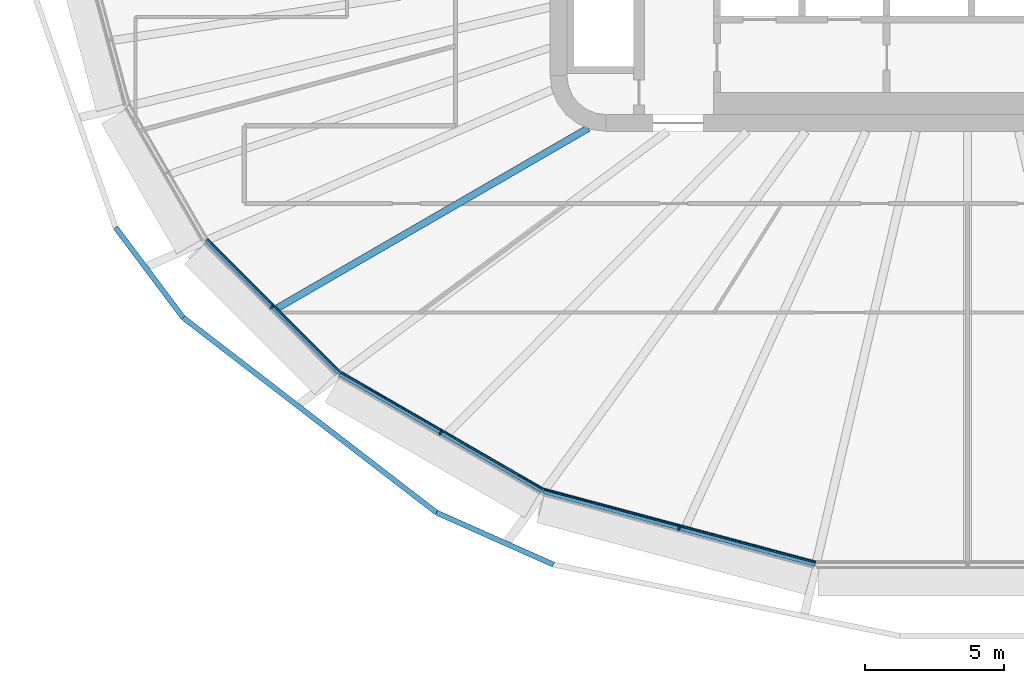
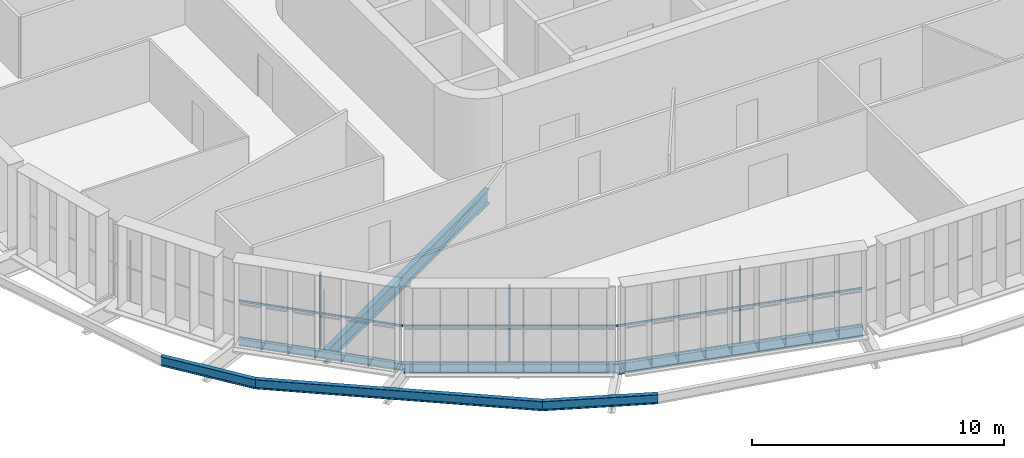
# One storey, part 1 of 25: 7 beams, 6 members, 3 elements without a shape of their own.
"""IFC4 building model written with IfcOpenShell, lengths in metres."""

from ifc_helpers import new_model, si_unit, direction, frame, origin, origin_2d, place, context, subcontext, project, spatial, rectangle, i_section, extrude, material, layer, layer_set, material_profile, profile_set, type_object, element, aggregate, save


model = new_model("IFC4")

# Units and contexts
model_context = context("Model", 3, precision=1e-05, world=origin(), true_north=direction((0.0, 1.0)))
body_context = subcontext(model_context, "Body", "Model", "MODEL_VIEW")
ifc_project = project(units=[si_unit("LENGTHUNIT", "METRE"), si_unit("AREAUNIT", "SQUARE_METRE"), si_unit("VOLUMEUNIT", "CUBIC_METRE"), si_unit("PLANEANGLEUNIT", "RADIAN"), si_unit("MASSUNIT", "GRAM", prefix="KILO")], contexts=[model_context])

# Site, building, storey
site_placement = place(None, origin())
site = spatial("IfcSite", under=ifc_project, at=site_placement, CompositionType="ELEMENT")
building_placement = place(site_placement, origin())
building = spatial("IfcBuilding", under=site, at=building_placement, Name="Sahrelin Media Tower", CompositionType="ELEMENT")
storey_placement = place(building_placement, frame((0.0, 0.0, 144.0)))
storey = spatial("IfcBuildingStorey", under=building, at=storey_placement, Name="L29", CompositionType="ELEMENT", Elevation=144.0)

# Beams
ifc_material_1 = material(Name="Steel S355", Category="steel")
ifc_material_profile_1 = material_profile(ifc_material_1, i_section(OverallWidth=0.17138671875, OverallDepth=0.35498046875, WebThickness=0.00732421875, FlangeThickness=0.011474609375, FilletRadius=0.01025390625, at=origin_2d()), Name="UB 356x171x51")
ifc_profile_set_1 = profile_set([ifc_material_profile_1], Name="Steel S355")
beam_type_1 = type_object("IfcBeamType", Name="Edge beam EB3", PredefinedType="BEAM", material=ifc_profile_set_1)
beam_1_placement = place(storey_placement, frame((-22.59033203125, -16.677978515625, -0.327392578125), z_axis=(-0.707106781187, 0.707106781187, 0.0), x_axis=(-0.707106781187, -0.707106781187, 0.0)))
element("IfcBeam", 1, at=beam_1_placement, inside=storey, type_object=beam_type_1, Name="Edge beam L29-10", PredefinedType="BEAM", context=body_context, shape_type="SweptSolid", body=[
    extrude(i_section(OverallWidth=0.17138671875, OverallDepth=0.35498046875, WebThickness=0.00732421875, FlangeThickness=0.011474609375, FilletRadius=0.01025390625, at=origin_2d()), origin(), (0.0, 0.0, 1.0), 6.751953125),
])
ifc_material_profile_2 = material_profile(ifc_material_1, i_section(OverallWidth=0.1904296875, OverallDepth=0.45703125, WebThickness=0.009033203125, FlangeThickness=0.014404296875, FilletRadius=0.01025390625, at=origin_2d()), Name="UB 457x191x74")
ifc_profile_set_2 = profile_set([ifc_material_profile_2], Name="Steel S355")
beam_type_2 = type_object("IfcBeamType", Name="Edge beam EB5", PredefinedType="BEAM", material=ifc_profile_set_2)
beam_2_placement = place(storey_placement, frame((-15.264404296875, -20.911865234375, -0.37841796875), z_axis=(-0.866028896434, 0.499993950504, 0.0), x_axis=(-0.499993950504, -0.866028896434, 0.0)))
element("IfcBeam", 2, at=beam_2_placement, inside=storey, type_object=beam_type_2, Name="Edge beam L29-09", PredefinedType="BEAM", context=body_context, shape_type="SweptSolid", body=[
    extrude(i_section(OverallWidth=0.1904296875, OverallDepth=0.45703125, WebThickness=0.009033203125, FlangeThickness=0.014404296875, FilletRadius=0.01025390625, at=origin_2d()), origin(), (0.0, 0.0, 1.0), 8.4326171875),
])
ifc_material_profile_3 = material_profile(ifc_material_1, i_section(OverallWidth=0.208740234375, OverallDepth=0.5283203125, WebThickness=0.009521484375, FlangeThickness=0.01318359375, FilletRadius=0.0126953125, at=origin_2d()), Name="UB 533x210x82")
ifc_profile_set_3 = profile_set([ifc_material_profile_3], Name="Steel S355")
beam_type_3 = type_object("IfcBeamType", Name="Edge beam EB6", PredefinedType="BEAM", material=ifc_profile_set_3)
beam_3_placement = place(storey_placement, frame((-5.46337890625, -23.5419921875, -0.414306640625), z_axis=(-0.96592349726, 0.258827737002, 0.0), x_axis=(-0.258827737002, -0.96592349726, 0.0)))
element("IfcBeam", 3, at=beam_3_placement, inside=storey, type_object=beam_type_3, Name="Edge beam L29-08", PredefinedType="BEAM", context=body_context, shape_type="SweptSolid", body=[
    extrude(i_section(OverallWidth=0.208740234375, OverallDepth=0.5283203125, WebThickness=0.009521484375, FlangeThickness=0.01318359375, FilletRadius=0.0126953125, at=origin_2d()), origin(), (0.0, 0.0, 1.0), 10.119140625),
])

# Curtain wall, member
ifc_material_2 = material(Name="Champagne anodised aluminium 6063-T6", Category="aluminium")
ifc_layer = layer(ifc_material_2, 0.14990234375)
ifc_layer_set = layer_set([ifc_layer], Name="Tower ribbon curtain wall")
curtain_wall_type = type_object("IfcCurtainWallType", Name="Tower ribbon curtain wall", PredefinedType="NOTDEFINED", material=ifc_layer_set)
curtain_wall_1_placement = place(storey_placement, frame((-25.08349609375, -14.39697265625, 0.0), z_axis=(0.0, 0.0, 1.0), x_axis=(1.0, 0.0, 0.0)))
curtain_wall_1 = element("IfcCurtainWall", 4, at=curtain_wall_1_placement, inside=storey, type_object=curtain_wall_type, Name="L29:CW:L29-15", PredefinedType="NOTDEFINED")
ifc_material_profile_4 = material_profile(ifc_material_2, rectangle(XDim=0.06005859375, YDim=0.14990234375, at=origin_2d()), Name="Mullion 60x150")
ifc_profile_set_4 = profile_set([ifc_material_profile_4], Name="Champagne anodised aluminium 6063-T6")
member_type_1 = type_object("IfcMemberType", Name="Mullion 60x150 CW1", PredefinedType="MULLION", material=ifc_profile_set_4)
member_1_placement = place(storey_placement, frame((-25.016357421875, -14.32958984375, 0.0), z_axis=(0.0, 0.0, 1.0), x_axis=(0.707106781187, -0.707106781187, 0.0)))
member_1 = element("IfcMember", 5, at=member_1_placement, type_object=member_type_1, Name="L29:CWM:L29-15", PredefinedType="MULLION", context=body_context, shape_type="SweptSolid", body=[
    extrude(rectangle(XDim=0.06005859375, YDim=0.14990234375, at=origin_2d()), origin(), (0.0, 0.0, 1.0), 3.648681640625),
])

curtain_wall_2_placement = place(storey_placement, frame((-18.990966796875, -18.93359375, 0.0), z_axis=(0.0, 0.0, 1.0), x_axis=(1.0, 0.0, 0.0)))
curtain_wall_2 = element("IfcCurtainWall", 6, at=curtain_wall_2_placement, inside=storey, type_object=curtain_wall_type, Name="L29:CW:L29-16", PredefinedType="NOTDEFINED")
member_2_placement = place(storey_placement, frame((-18.943603515625, -18.851318359375, 0.0), z_axis=(0.0, 0.0, 1.0), x_axis=(0.866027149108, -0.499996976998, 0.0)))
member_2 = element("IfcMember", 7, at=member_2_placement, type_object=member_type_1, Name="L29:CWM:L29-16", PredefinedType="MULLION", context=body_context, shape_type="SweptSolid", body=[
    extrude(rectangle(XDim=0.06005859375, YDim=0.14990234375, at=origin_2d()), origin(), (0.0, 0.0, 1.0), 3.648681640625),
])

curtain_wall_3_placement = place(storey_placement, frame((-10.389404296875, -22.377197265625, 0.0), z_axis=(0.0, 0.0, 1.0), x_axis=(1.0, 0.0, 0.0)))
curtain_wall_3 = element("IfcCurtainWall", 8, at=curtain_wall_3_placement, inside=storey, type_object=curtain_wall_type, Name="L29:CW:L29-17", PredefinedType="NOTDEFINED")
member_3_placement = place(storey_placement, frame((-10.364990234375, -22.285400390625, 0.0), z_axis=(0.0, 0.0, 1.0), x_axis=(0.965925826289, -0.258819045103, 0.0)))
member_3 = element("IfcMember", 9, at=member_3_placement, type_object=member_type_1, Name="L29:CWM:L29-17", PredefinedType="MULLION", context=body_context, shape_type="SweptSolid", body=[
    extrude(rectangle(XDim=0.06005859375, YDim=0.14990234375, at=origin_2d()), origin(), (0.0, 0.0, 1.0), 3.648681640625),
])

# Beams
ifc_material_profile_5 = material_profile(ifc_material_1, i_section(OverallWidth=0.2529296875, OverallDepth=0.677978515625, WebThickness=0.01171875, FlangeThickness=0.01611328125, FilletRadius=0.01513671875, at=origin_2d()), Name="UB 686x254x125")
ifc_profile_set_5 = profile_set([ifc_material_profile_5], Name="Steel S355")
beam_type_4 = type_object("IfcBeamType", Name="Radial secondary beam SB8", PredefinedType="BEAM", material=ifc_profile_set_5)
beam_4_placement = place(storey_placement, frame((-13.62939453125, -7.885498046875, -0.489013671875), z_axis=(-0.865569164292, -0.500789398676, 0.0), x_axis=(0.500789398676, -0.865569164292, 0.0)))
element("IfcBeam", 10, at=beam_4_placement, inside=storey, type_object=beam_type_4, Name="Secondary beam L29-15", PredefinedType="BEAM", context=body_context, shape_type="SweptSolid", body=[
    extrude(i_section(OverallWidth=0.2529296875, OverallDepth=0.677978515625, WebThickness=0.01171875, FlangeThickness=0.01611328125, FilletRadius=0.01513671875, at=origin_2d()), origin(), (0.0, 0.0, 1.0), 12.904541015625),
])
ifc_material_profile_6 = material_profile(ifc_material_1, i_section(OverallWidth=0.1904296875, OverallDepth=0.45703125, WebThickness=0.009033203125, FlangeThickness=0.014404296875, FilletRadius=0.01025390625, at=origin_2d()), Name="UB 457x191x74")
ifc_profile_set_6 = profile_set([ifc_material_profile_6], Name="Steel S355")
beam_type_5 = type_object("IfcBeamType", Name="Tie chord TC5", PredefinedType="BEAM", material=ifc_profile_set_6)
beam_5_placement = place(storey_placement, frame((-30.632568359375, -11.453125, -0.37841796875), z_axis=(0.600077169797, -0.799942116836, 0.0), x_axis=(0.799942116836, 0.600077169797, 0.0)))
element("IfcBeam", 11, at=beam_5_placement, inside=storey, type_object=beam_type_5, Name="Tie chord L29-14", PredefinedType="BEAM", context=body_context, shape_type="SweptSolid", body=[
    extrude(i_section(OverallWidth=0.1904296875, OverallDepth=0.45703125, WebThickness=0.009033203125, FlangeThickness=0.014404296875, FilletRadius=0.01025390625, at=origin_2d()), origin(), (0.0, 0.0, 1.0), 4.04931640625),
])
beam_6_placement = place(storey_placement, frame((-28.20263671875, -14.6923828125, -0.37841796875), z_axis=(0.792440876725, -0.609948733005, 0.0), x_axis=(0.609948733005, 0.792440876725, 0.0)))
element("IfcBeam", 12, at=beam_6_placement, inside=storey, type_object=beam_type_5, Name="Tie chord L29-15", PredefinedType="BEAM", context=body_context, shape_type="SweptSolid", body=[
    extrude(i_section(OverallWidth=0.1904296875, OverallDepth=0.45703125, WebThickness=0.009033203125, FlangeThickness=0.014404296875, FilletRadius=0.01025390625, at=origin_2d()), origin(), (0.0, 0.0, 1.0), 11.501220703125),
])
beam_7_placement = place(storey_placement, frame((-19.088623046875, -21.70751953125, -0.37841796875), z_axis=(0.913826849617, -0.406104037062, 0.0), x_axis=(0.406104037062, 0.913826849617, 0.0)))
element("IfcBeam", 13, at=beam_7_placement, inside=storey, type_object=beam_type_5, Name="Tie chord L29-16", PredefinedType="BEAM", context=body_context, shape_type="SweptSolid", body=[
    extrude(i_section(OverallWidth=0.1904296875, OverallDepth=0.45703125, WebThickness=0.009033203125, FlangeThickness=0.014404296875, FilletRadius=0.01025390625, at=origin_2d()), origin(), (0.0, 0.0, 1.0), 4.605712890625),
])

# Member
ifc_material_profile_7 = material_profile(ifc_material_2, rectangle(XDim=0.050048828125, YDim=0.10009765625, at=origin_2d()), Name="Transom 50x100")
ifc_profile_set_7 = profile_set([ifc_material_profile_7], Name="Champagne anodised aluminium 6063-T6")
member_type_2 = type_object("IfcMemberType", Name="Transom 50x100 CW1", PredefinedType="USERDEFINED", material=ifc_profile_set_7)
member_4_placement = place(storey_placement, frame((-27.32177734375, -11.8828125, 1.60009765625), z_axis=(0.707106781187, -0.707106781187, 0.0), x_axis=(0.707106781187, 0.707106781187, 0.0)))
member_4 = element("IfcMember", 14, at=member_4_placement, type_object=member_type_2, Name="L29:CWT:L29-15", ObjectType="TRANSOM", PredefinedType="USERDEFINED", context=body_context, shape_type="SweptSolid", body=[
    extrude(rectangle(XDim=0.050048828125, YDim=0.10009765625, at=origin_2d()), origin(), (0.0, 0.0, 1.0), 6.720703125),
])

aggregate(curtain_wall_1, [member_1, member_4])

member_5_placement = place(storey_placement, frame((-22.53125, -16.664306640625, 1.60009765625), z_axis=(0.866020563817, -0.500008382975, 0.0), x_axis=(0.500008382975, 0.866020563817, 0.0)))
member_5 = element("IfcMember", 15, at=member_5_placement, type_object=member_type_2, Name="L29:CWT:L29-16", ObjectType="TRANSOM", PredefinedType="USERDEFINED", context=body_context, shape_type="SweptSolid", body=[
    extrude(rectangle(XDim=0.050048828125, YDim=0.10009765625, at=origin_2d()), origin(), (0.0, 0.0, 1.0), 8.401123046875),
])

aggregate(curtain_wall_2, [member_2, member_5])

member_6_placement = place(storey_placement, frame((-15.2109375, -20.883544921875, 1.60009765625), z_axis=(0.965928174808, -0.258810280151, 0.0), x_axis=(0.258810280151, 0.965928174808, 0.0)))
member_6 = element("IfcMember", 16, at=member_6_placement, type_object=member_type_2, Name="L29:CWT:L29-17", ObjectType="TRANSOM", PredefinedType="USERDEFINED", context=body_context, shape_type="SweptSolid", body=[
    extrude(rectangle(XDim=0.050048828125, YDim=0.10009765625, at=origin_2d()), origin(), (0.0, 0.0, 1.0), 10.087890625),
])

aggregate(curtain_wall_3, [member_3, member_6])

save(model, "model.ifc")
